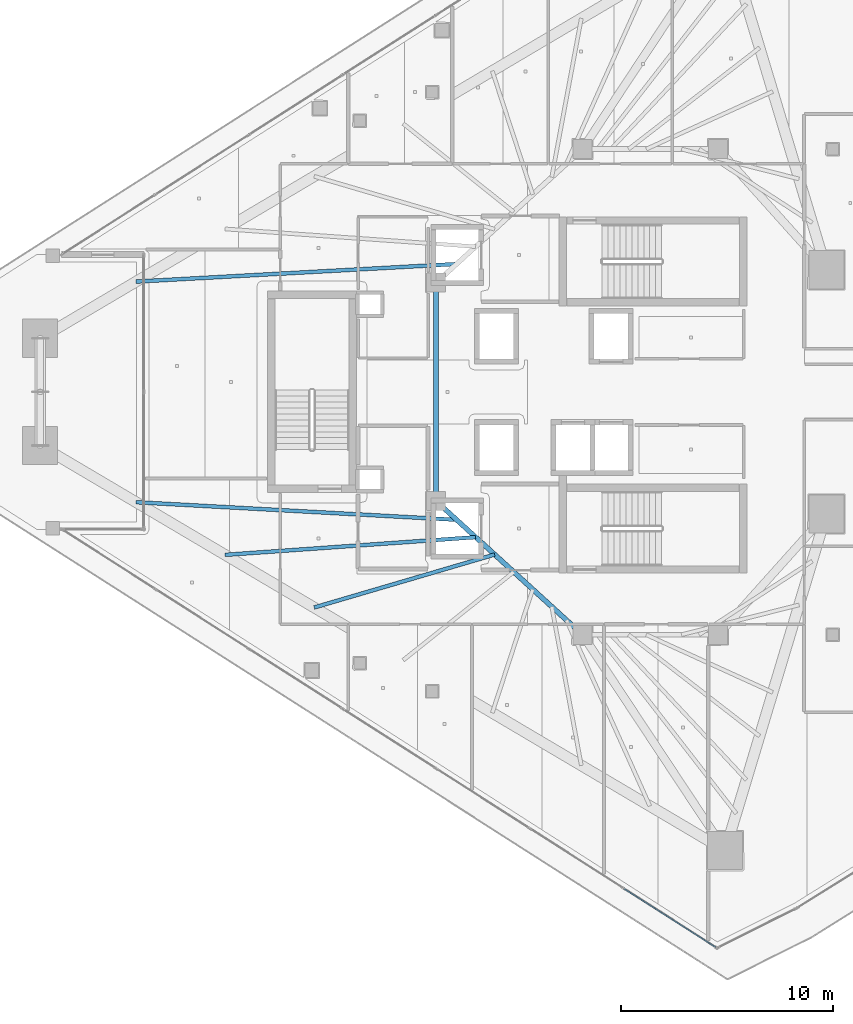
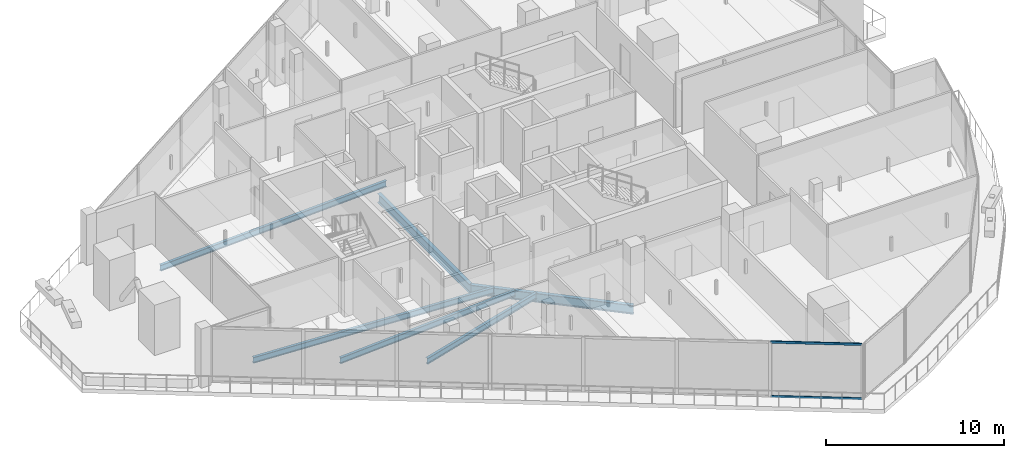
# One storey, part 6 of 32: 6 beams, 2 members, 1 element without a shape of its own.
"""IFC4 building model written with IfcOpenShell, lengths in metres."""

from ifc_helpers import new_model, si_unit, direction, frame, origin, origin_2d, place, context, subcontext, project, spatial, hollow_rectangle, i_section, extrude, material, layer, layer_set, material_profile, profile_set, type_object, element, aggregate, save


model = new_model("IFC4")

# Units and contexts
model_context = context("Model", 3, precision=1e-05, world=origin(), true_north=direction((0.0, 1.0)))
body_context = subcontext(model_context, "Body", "Model", "MODEL_VIEW")
ifc_project = project(units=[si_unit("LENGTHUNIT", "METRE"), si_unit("AREAUNIT", "SQUARE_METRE"), si_unit("VOLUMEUNIT", "CUBIC_METRE"), si_unit("PLANEANGLEUNIT", "RADIAN"), si_unit("MASSUNIT", "GRAM", prefix="KILO")], contexts=[model_context])

# Site, building, storey
site_placement = place(None, origin())
site = spatial("IfcSite", under=ifc_project, at=site_placement, CompositionType="ELEMENT")
building_placement = place(site_placement, origin())
building = spatial("IfcBuilding", under=site, at=building_placement, Name="Qorvath Tower", CompositionType="ELEMENT")
storey_placement = place(building_placement, frame((0.0, 0.0, 233.39990234375)))
storey = spatial("IfcBuildingStorey", under=building, at=storey_placement, Name="L54", CompositionType="ELEMENT", Elevation=233.39990234375)

# Beams
ifc_material_1 = material(Name="Steel ASTM A992 Grade 50", Category="steel")
ifc_material_profile_1 = material_profile(ifc_material_1, i_section(OverallWidth=0.22998046875, OverallDepth=0.616943359375, WebThickness=0.01318359375, FlangeThickness=0.022216796875, FilletRadius=0.014892578125, at=origin_2d()), Name="W24x94")
ifc_profile_set_1 = profile_set([ifc_material_profile_1], Name="Steel ASTM A992 Grade 50")
beam_type_1 = type_object("IfcBeamType", Name="BM-FG6", PredefinedType="BEAM", material=ifc_profile_set_1)
beam_1_placement = place(storey_placement, frame((-23.60009765625, -11.449951171875, -0.57861328125), z_axis=(-0.73847813985, 0.6742774184, 0.0), x_axis=(-0.6742774184, -0.73847813985, 0.0)))
element("IfcBeam", 1, at=beam_1_placement, inside=storey, type_object=beam_type_1, Name="Core Ring Girder CC4-CC6 L54", PredefinedType="BEAM", context=body_context, shape_type="SweptSolid", body=[
    extrude(i_section(OverallWidth=0.22998046875, OverallDepth=0.616943359375, WebThickness=0.01318359375, FlangeThickness=0.022216796875, FilletRadius=0.014892578125, at=origin_2d()), origin(), (0.0, 0.0, 1.0), 9.343505859375),
])
beam_2_placement = place(storey_placement, frame((-30.5, -5.14990234375, -0.57861328125), z_axis=(0.0, 1.0, 0.0), x_axis=(-1.0, 0.0, 0.0)))
element("IfcBeam", 2, at=beam_2_placement, inside=storey, type_object=beam_type_1, Name="Core Ring Girder CC6-CC5 L54", PredefinedType="BEAM", context=body_context, shape_type="SweptSolid", body=[
    extrude(i_section(OverallWidth=0.22998046875, OverallDepth=0.616943359375, WebThickness=0.01318359375, FlangeThickness=0.022216796875, FilletRadius=0.014892578125, at=origin_2d()), origin(), (0.0, 0.0, 1.0), 10.2998046875),
])
ifc_material_2 = material(Name="Steel ASTM A992 Grade 50", Category="steel")
ifc_material_profile_2 = material_profile(ifc_material_2, i_section(OverallWidth=0.177978515625, OverallDepth=0.406005859375, WebThickness=0.0078125, FlangeThickness=0.0126953125, FilletRadius=0.010986328125, at=origin_2d()), Name="W16x40")
ifc_profile_set_2 = profile_set([ifc_material_profile_2], Name="Steel ASTM A992 Grade 50")
beam_type_2 = type_object("IfcBeamType", Name="BM-FJ3", PredefinedType="JOIST", material=ifc_profile_set_2)
for number, where, z_axis, x_axis, name in (
    (3, (-29.533935546875, 6.031982421875, -0.472900390625), (-0.998494745044, -0.054847462293, 0.0), (0.054847462293, -0.998494745044, 0.0), "Composite Floor Joist NW1 L54"),
    (4, (-29.533935546875, -6.031982421875, -0.472900390625), (-0.998494745044, 0.054847462293, 0.0), (-0.054847462293, -0.998494745044, 0.0), "Composite Floor Joist SW1 L54"),
):
    element("IfcBeam", number, at=place(storey_placement, frame(where, z_axis=z_axis, x_axis=x_axis)), inside=storey, type_object=beam_type_2, Name=name, PredefinedType="JOIST", context=body_context, shape_type="SweptSolid", body=[
        extrude(i_section(OverallWidth=0.177978515625, OverallDepth=0.406005859375, WebThickness=0.0078125, FlangeThickness=0.0126953125, FilletRadius=0.010986328125, at=origin_2d()), origin(), (0.0, 0.0, 1.0), 15.138671875),
    ])
beam_3_placement = place(storey_placement, frame((-28.636962890625, -6.85107421875, -0.472900390625), z_axis=(-0.997520476731, -0.070376832146, 0.0), x_axis=(0.070376832146, -0.997520476731, 0.0)))
element("IfcBeam", 5, at=beam_3_placement, inside=storey, type_object=beam_type_2, Name="Composite Floor Joist SW2 L54", PredefinedType="JOIST", context=body_context, shape_type="SweptSolid", body=[
    extrude(i_section(OverallWidth=0.177978515625, OverallDepth=0.406005859375, WebThickness=0.0078125, FlangeThickness=0.0126953125, FilletRadius=0.010986328125, at=origin_2d()), origin(), (0.0, 0.0, 1.0), 11.84326171875),
])
beam_4_placement = place(storey_placement, frame((-27.739990234375, -7.669921875, -0.472900390625), z_axis=(-0.959544992264, -0.281555337049, 0.0), x_axis=(0.281555337049, -0.959544992264, 0.0)))
element("IfcBeam", 6, at=beam_4_placement, inside=storey, type_object=beam_type_2, Name="Composite Floor Joist SW3 L54", PredefinedType="JOIST", context=body_context, shape_type="SweptSolid", body=[
    extrude(i_section(OverallWidth=0.177978515625, OverallDepth=0.406005859375, WebThickness=0.0078125, FlangeThickness=0.0126953125, FilletRadius=0.010986328125, at=origin_2d()), origin(), (0.0, 0.0, 1.0), 8.87060546875),
])

# Curtain wall, members
ifc_material_3 = material(Name="Anodised aluminium and triple low-E glass", Category="aluminium")
ifc_layer = layer(ifc_material_3, 0.179931640625)
ifc_layer_set = layer_set([ifc_layer], Name="CW-SYS-5")
curtain_wall_type = type_object("IfcCurtainWallType", Name="CW-SYS-5", PredefinedType="NOTDEFINED", material=ifc_layer_set)
curtain_wall_placement = place(storey_placement, origin())
curtain_wall = element("IfcCurtainWall", 7, at=curtain_wall_placement, inside=storey, type_object=curtain_wall_type, Name="Curtain Wall CW-5 CW-T-L54-4.1", PredefinedType="NOTDEFINED")
ifc_material_4 = material(Name="Anodised aluminium 6063-T6", Category="aluminium")
ifc_material_profile_3 = material_profile(ifc_material_4, hollow_rectangle(XDim=0.06494140625, YDim=0.159912109375, WallThickness=0.00341796875, InnerFilletRadius=0.00341796875, OuterFilletRadius=0.007080078125, at=origin_2d()), Name="CWT 160x65")
ifc_profile_set_3 = profile_set([ifc_material_profile_3], Name="Anodised aluminium 6063-T6")
member_type = type_object("IfcMemberType", Name="CWT-160", PredefinedType="USERDEFINED", material=ifc_profile_set_3)
member_1_placement = place(storey_placement, frame((-21.64013671875, -23.427734375, 0.032470703125), z_axis=(0.842612832178, -0.538519837191, 0.0), x_axis=(0.538519837191, 0.842612832178, 0.0)))
member_1 = element("IfcMember", 8, at=member_1_placement, type_object=member_type, Name="CW-5 transom 7.1", ObjectType="TRANSOM", PredefinedType="USERDEFINED", context=body_context, shape_type="SweptSolid", body=[
    extrude(hollow_rectangle(XDim=0.06494140625, YDim=0.159912109375, WallThickness=0.00341796875, InnerFilletRadius=0.00341796875, OuterFilletRadius=0.007080078125, at=origin_2d()), origin(), (0.0, 0.0, 1.0), 5.126953125),
])
member_2_placement = place(storey_placement, frame((-21.64013671875, -23.427734375, 3.74755859375), z_axis=(0.842612832178, -0.538519837191, 0.0), x_axis=(0.538519837191, 0.842612832178, 0.0)))
member_2 = element("IfcMember", 9, at=member_2_placement, type_object=member_type, Name="CW-5 transom 7.2", ObjectType="TRANSOM", PredefinedType="USERDEFINED", context=body_context, shape_type="SweptSolid", body=[
    extrude(hollow_rectangle(XDim=0.06494140625, YDim=0.159912109375, WallThickness=0.00341796875, InnerFilletRadius=0.00341796875, OuterFilletRadius=0.007080078125, at=origin_2d()), origin(), (0.0, 0.0, 1.0), 5.126953125),
])
aggregate(curtain_wall, [member_1, member_2])

save(model, "model.ifc")
